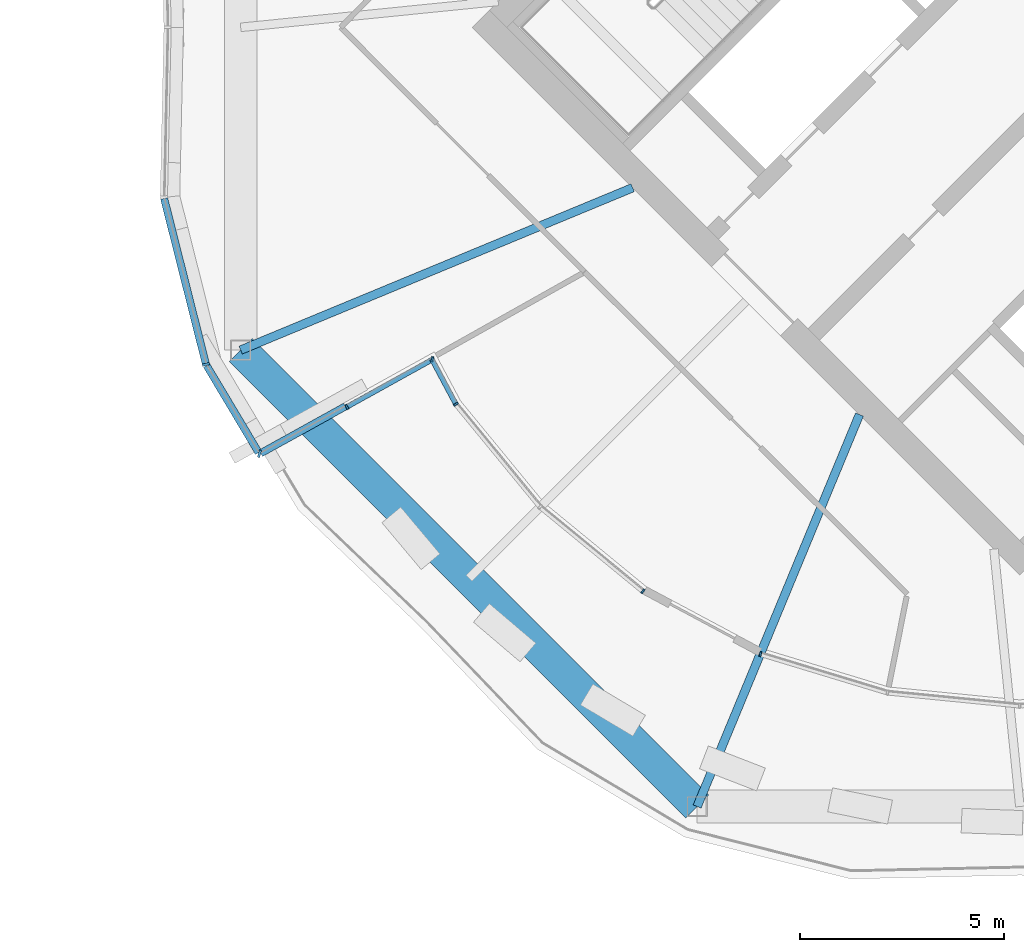
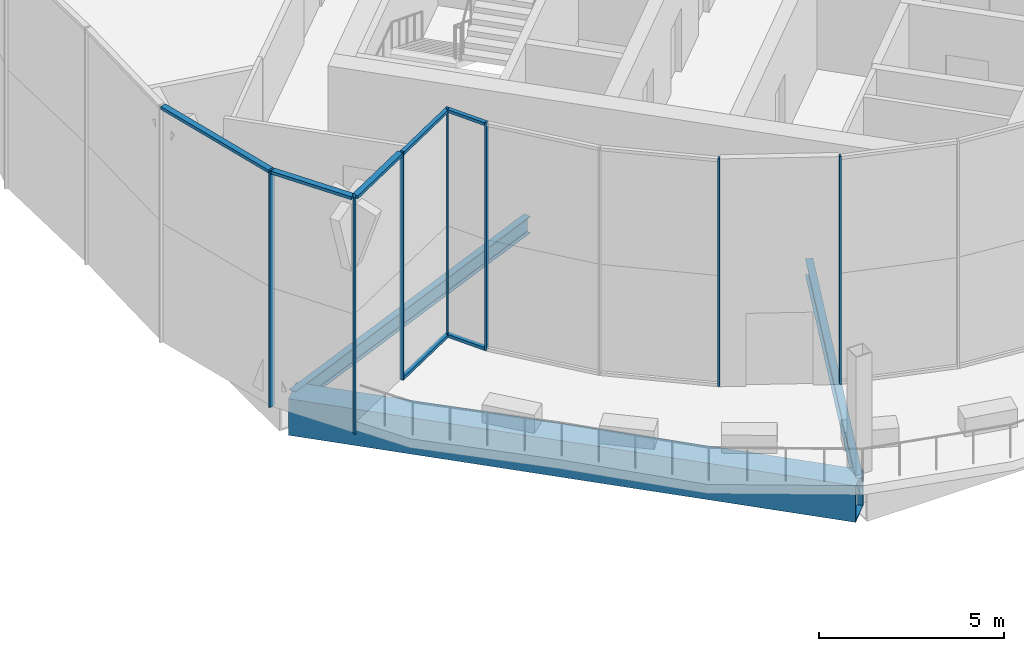
# One storey, part 9 of 26: 14 members, 3 beams, 5 elements without a shape of their own.
"""IFC4 building model written with IfcOpenShell, lengths in metres."""

from ifc_helpers import new_model, si_unit, direction, frame, origin, origin_2d, place, context, subcontext, project, spatial, rectangle, hollow_rectangle, i_section, extrude, material, material_profile, profile_set, type_object, element, aggregate, save


model = new_model("IFC4")

# Units and contexts
model_context = context("Model", 3, precision=1e-05, world=origin(), true_north=direction((0.0, 1.0)))
body_context = subcontext(model_context, "Body", "Model", "MODEL_VIEW")
ifc_project = project(units=[si_unit("LENGTHUNIT", "METRE"), si_unit("AREAUNIT", "SQUARE_METRE"), si_unit("VOLUMEUNIT", "CUBIC_METRE"), si_unit("PLANEANGLEUNIT", "RADIAN"), si_unit("MASSUNIT", "GRAM", prefix="KILO")], contexts=[model_context])

# Site, building, storey
site_placement = place(None, origin())
site = spatial("IfcSite", under=ifc_project, at=site_placement, CompositionType="ELEMENT")
building_placement = place(site_placement, origin())
building = spatial("IfcBuilding", under=site, at=building_placement, Name="Ogive Gate Towers", CompositionType="ELEMENT")
storey_placement = place(building_placement, frame((0.0, 0.0, 208.5)))
storey = spatial("IfcBuildingStorey", under=building, at=storey_placement, Name="L50", CompositionType="ELEMENT", Elevation=208.5)

# Beams
ifc_material_1 = material(Name="Steel SM460", Category="steel")
ifc_material_profile_1 = material_profile(ifc_material_1, hollow_rectangle(XDim=0.800048828125, YDim=1.199951171875, WallThickness=0.050048828125, at=origin_2d()), Name="BX 1200x800x50")
ifc_profile_set_1 = profile_set([ifc_material_profile_1], Name="Steel SM460")
beam_type_1 = type_object("IfcBeamType", Name="Edge girder BX 1200x800x50", PredefinedType="BEAM", material=ifc_profile_set_1)
beam_placement = place(storey_placement, frame((16.885009765625, -7.917724609375, -0.89990234375), z_axis=(0.707106781187, -0.707106781187, 0.0), x_axis=(0.707106781187, 0.707106781187, 0.0)))
element("IfcBeam", 1, at=beam_placement, inside=storey, type_object=beam_type_1, Name="T2/L50/SBM017", PredefinedType="BEAM", context=body_context, shape_type="SweptSolid", body=[
    extrude(hollow_rectangle(XDim=0.800048828125, YDim=1.199951171875, WallThickness=0.050048828125, at=origin_2d()), origin(), (0.0, 0.0, 1.0), 15.835205078125),
])
ifc_material_2 = material(Name="Steel SM355", Category="steel")
ifc_material_profile_2 = material_profile(ifc_material_2, i_section(OverallWidth=0.2099609375, OverallDepth=0.550048828125, WebThickness=0.010986328125, FlangeThickness=0.01708984375, FilletRadius=0.02392578125, at=origin_2d()), Name="IPE 550")
ifc_profile_set_2 = profile_set([ifc_material_profile_2], Name="Steel SM355")
beam_type_2 = type_object("IfcBeamType", Name="Radial floor beam IPE 550", PredefinedType="BEAM", material=ifc_profile_set_2)
for number, where, z_axis, x_axis, name in (
    (2, (26.5, -3.93505859375, -0.574951171875), (-0.92387930631, -0.382683978464, 0.0), (0.382683978464, -0.92387930631, 0.0), "T2/L50/SBM001"),
    (3, (32.06494140625, -9.5, -0.574951171875), (-0.382683978464, -0.92387930631, 0.0), (0.92387930631, -0.382683978464, 0.0), "T2/L50/SBM003"),
):
    element("IfcBeam", number, at=place(storey_placement, frame(where, z_axis=z_axis, x_axis=x_axis)), inside=storey, type_object=beam_type_2, Name=name, PredefinedType="BEAM", context=body_context, shape_type="SweptSolid", body=[
        extrude(i_section(OverallWidth=0.2099609375, OverallDepth=0.550048828125, WebThickness=0.010986328125, FlangeThickness=0.01708984375, FilletRadius=0.02392578125, at=origin_2d()), origin(), (0.0, 0.0, 1.0), 10.4072265625),
    ])

# Curtain wall, members
ifc_material_3 = material(Name="Pale metal aluminium", Category="aluminium")
curtain_wall_type_1 = type_object("IfcCurtainWallType", Name="Sky garden glazing", PredefinedType="NOTDEFINED", material=ifc_material_3)
curtain_wall_1_placement = place(storey_placement, origin())
curtain_wall_1 = element("IfcCurtainWall", 4, at=curtain_wall_1_placement, inside=storey, type_object=curtain_wall_type_1, Name="CW4 T2 ECW01", PredefinedType="NOTDEFINED")
ifc_material_profile_3 = material_profile(ifc_material_3, rectangle(XDim=0.1201171875, YDim=0.050048828125, at=origin_2d()), Name="50 x 120 aluminium box")
ifc_profile_set_3 = profile_set([ifc_material_profile_3], Name="Pale metal aluminium")
member_type_1 = type_object("IfcMemberType", Name="Sky garden glazing mullion 50 x 120", PredefinedType="MULLION", material=ifc_profile_set_3)
member_1_placement = place(storey_placement, frame((22.163818359375, -9.244873046875, 0.0), z_axis=(0.0, 0.0, 1.0), x_axis=(0.831469612303, 0.55557023302, 0.0)))
member_1 = element("IfcMember", 5, at=member_1_placement, type_object=member_type_1, Name="CW4 mullion", PredefinedType="MULLION", context=body_context, shape_type="SweptSolid", body=[
    extrude(rectangle(XDim=0.1201171875, YDim=0.050048828125, at=origin_2d()), origin(), (0.0, 0.0, 1.0), 7.5),
])
member_2_placement = place(storey_placement, frame((21.5849609375, -8.136962890625, 0.0), z_axis=(0.0, 0.0, 1.0), x_axis=(0.282977635822, 0.959126507623, 0.0)))
member_2 = element("IfcMember", 6, at=member_2_placement, type_object=member_type_1, Name="CW4 mullion", PredefinedType="MULLION", context=body_context, shape_type="SweptSolid", body=[
    extrude(rectangle(XDim=0.1201171875, YDim=0.050048828125, at=origin_2d()), origin(), (0.0, 0.0, 1.0), 7.5),
])
member_3_placement = place(storey_placement, frame((19.491943359375, -9.310791015625, 0.0), z_axis=(0.0, 0.0, 1.0), x_axis=(-0.484794355179, 0.87462816853, 0.0)))
member_3 = element("IfcMember", 7, at=member_3_placement, type_object=member_type_1, Name="CW4 mullion", PredefinedType="MULLION", context=body_context, shape_type="SweptSolid", body=[
    extrude(rectangle(XDim=0.1201171875, YDim=0.050048828125, at=origin_2d()), origin(), (0.0, 0.0, 1.0), 7.5),
])

# Curtain wall, member
curtain_wall_2_placement = place(storey_placement, origin())
curtain_wall_2 = element("IfcCurtainWall", 8, at=curtain_wall_2_placement, inside=storey, type_object=curtain_wall_type_1, Name="CW4 T2 ECW02", PredefinedType="NOTDEFINED")
member_4_placement = place(storey_placement, frame((29.6357421875, -15.375, 0.0), z_axis=(0.0, 0.0, 1.0), x_axis=(0.29030137897, 0.956935269163, 0.0)))
member_4 = element("IfcMember", 9, at=member_4_placement, type_object=member_type_1, Name="CW4 mullion", PredefinedType="MULLION", context=body_context, shape_type="SweptSolid", body=[
    extrude(rectangle(XDim=0.1201171875, YDim=0.050048828125, at=origin_2d()), origin(), (0.0, 0.0, 1.0), 7.5),
])
aggregate(curtain_wall_2, [member_4])

curtain_wall_3_placement = place(storey_placement, origin())
curtain_wall_3 = element("IfcCurtainWall", 10, at=curtain_wall_3_placement, inside=storey, type_object=curtain_wall_type_1, Name="CW4 T2 ECW02b", PredefinedType="NOTDEFINED")
member_5_placement = place(storey_placement, frame((26.751953125, -13.833740234375, 0.0), z_axis=(0.0, 0.0, 1.0), x_axis=(0.634393284164, 0.773010453363, 0.0)))
member_5 = element("IfcMember", 11, at=member_5_placement, type_object=member_type_1, Name="CW4 mullion", PredefinedType="MULLION", context=body_context, shape_type="SweptSolid", body=[
    extrude(rectangle(XDim=0.1201171875, YDim=0.050048828125, at=origin_2d()), origin(), (0.0, 0.0, 1.0), 7.5),
])
aggregate(curtain_wall_3, [member_5])

# Member
ifc_material_profile_4 = material_profile(ifc_material_3, rectangle(XDim=0.1201171875, YDim=0.10009765625, at=origin_2d()), Name="100 x 120 aluminium box")
ifc_profile_set_4 = profile_set([ifc_material_profile_4], Name="Pale metal aluminium")
member_type_2 = type_object("IfcMemberType", Name="Sky garden glazing transom 100 x 120", PredefinedType="USERDEFINED", material=ifc_profile_set_4)
member_6_placement = place(storey_placement, frame((22.150146484375, -9.219482421875, 7.449951171875), z_axis=(-0.471446774836, 0.881894516649, 0.0), x_axis=(-0.881894516649, -0.471446774836, 0.0)))
member_6 = element("IfcMember", 12, at=member_6_placement, type_object=member_type_2, Name="CW4 transom", ObjectType="TRANSOM", PredefinedType="USERDEFINED", context=body_context, shape_type="SweptSolid", body=[
    extrude(rectangle(XDim=0.1201171875, YDim=0.10009765625, at=origin_2d()), origin(), (0.0, 0.0, 1.0), 1.224609375),
])

member_7_placement = place(storey_placement, frame((22.150146484375, -9.219482421875, 0.050048828125), z_axis=(-0.471446774836, 0.881894516649, 0.0), x_axis=(-0.881894516649, -0.471446774836, 0.0)))
member_7 = element("IfcMember", 13, at=member_7_placement, type_object=member_type_2, Name="CW4 transom", ObjectType="TRANSOM", PredefinedType="USERDEFINED", context=body_context, shape_type="SweptSolid", body=[
    extrude(rectangle(XDim=0.1201171875, YDim=0.10009765625, at=origin_2d()), origin(), (0.0, 0.0, 1.0), 1.224609375),
])

member_8_placement = place(storey_placement, frame((21.59375, -8.1455078125, 7.449951171875), z_axis=(-0.874583086411, -0.484875679906, 0.0), x_axis=(0.484875679906, -0.874583086411, 0.0)))
member_8 = element("IfcMember", 14, at=member_8_placement, type_object=member_type_2, Name="CW4 transom", ObjectType="TRANSOM", PredefinedType="USERDEFINED", context=body_context, shape_type="SweptSolid", body=[
    extrude(rectangle(XDim=0.1201171875, YDim=0.10009765625, at=origin_2d()), origin(), (0.0, 0.0, 1.0), 2.378173828125),
])

member_9_placement = place(storey_placement, frame((21.59375, -8.1455078125, 0.050048828125), z_axis=(-0.874583086411, -0.484875679906, 0.0), x_axis=(0.484875679906, -0.874583086411, 0.0)))
member_9 = element("IfcMember", 15, at=member_9_placement, type_object=member_type_2, Name="CW4 transom", ObjectType="TRANSOM", PredefinedType="USERDEFINED", context=body_context, shape_type="SweptSolid", body=[
    extrude(rectangle(XDim=0.1201171875, YDim=0.10009765625, at=origin_2d()), origin(), (0.0, 0.0, 1.0), 2.378173828125),
])

aggregate(curtain_wall_1, [member_1, member_2, member_6, member_7, member_3, member_8, member_9])

# Curtain wall, member
curtain_wall_type_2 = type_object("IfcCurtainWallType", Name="Tower unitised wall, high zone", PredefinedType="NOTDEFINED", material=ifc_material_3)
curtain_wall_4_placement = place(storey_placement, origin())
curtain_wall_4 = element("IfcCurtainWall", 16, at=curtain_wall_4_placement, inside=storey, type_object=curtain_wall_type_2, Name="CW2 T2 ECW08", PredefinedType="NOTDEFINED")
ifc_material_profile_5 = material_profile(ifc_material_3, rectangle(XDim=0.179931640625, YDim=0.06005859375, at=origin_2d()), Name="60 x 180 aluminium box")
ifc_profile_set_5 = profile_set([ifc_material_profile_5], Name="Pale metal aluminium")
member_type_3 = type_object("IfcMemberType", Name="Tower unitised wall, high zone mullion 60 x 180", PredefinedType="MULLION", material=ifc_profile_set_5)
member_10_placement = place(storey_placement, frame((16.033447265625, -8.268798828125, -0.300048828125), z_axis=(0.0, 0.0, 1.0), x_axis=(0.969620639956, 0.244613602588, 0.0)))
member_10 = element("IfcMember", 17, at=member_10_placement, type_object=member_type_3, Name="CW2 mullion", PredefinedType="MULLION", context=body_context, shape_type="SweptSolid", body=[
    extrude(rectangle(XDim=0.179931640625, YDim=0.06005859375, at=origin_2d()), origin(), (0.0, 0.0, 1.0), 7.800048828125),
])

curtain_wall_5_placement = place(storey_placement, origin())
curtain_wall_5 = element("IfcCurtainWall", 18, at=curtain_wall_5_placement, inside=storey, type_object=curtain_wall_type_2, Name="CW2 T2 ECW08b", PredefinedType="NOTDEFINED")
member_11_placement = place(storey_placement, frame((17.34619140625, -10.462646484375, -0.300048828125), z_axis=(0.0, 0.0, 1.0), x_axis=(0.260150626952, 0.965568045917, 0.0)))
member_11 = element("IfcMember", 19, at=member_11_placement, type_object=member_type_3, Name="CW2 mullion", PredefinedType="MULLION", context=body_context, shape_type="SweptSolid", body=[
    extrude(rectangle(XDim=0.179931640625, YDim=0.06005859375, at=origin_2d()), origin(), (0.0, 0.0, 1.0), 7.800048828125),
])

# Member
ifc_material_profile_6 = material_profile(ifc_material_3, rectangle(XDim=0.179931640625, YDim=0.10009765625, at=origin_2d()), Name="100 x 180 aluminium box")
ifc_profile_set_6 = profile_set([ifc_material_profile_6], Name="Pale metal aluminium")
member_type_4 = type_object("IfcMemberType", Name="Tower unitised wall, high zone transom 100 x 180", PredefinedType="USERDEFINED", material=ifc_profile_set_6)
member_12_placement = place(storey_placement, frame((16.026123046875, -8.23974609375, 7.449951171875), z_axis=(-0.244602369594, 0.96962347372, 0.0), x_axis=(-0.96962347372, -0.244602369594, 0.0)))
member_12 = element("IfcMember", 20, at=member_12_placement, type_object=member_type_4, Name="CW2 transom", ObjectType="TRANSOM", PredefinedType="USERDEFINED", context=body_context, shape_type="SweptSolid", body=[
    extrude(rectangle(XDim=0.179931640625, YDim=0.10009765625, at=origin_2d()), origin(), (0.0, 0.0, 1.0), 4.168212890625),
])

aggregate(curtain_wall_4, [member_10, member_12])

member_13_placement = place(storey_placement, frame((19.451171875, -9.299072265625, 7.449951171875), z_axis=(-0.874652840363, -0.484749841512, 0.0), x_axis=(0.484749841512, -0.874652840363, 0.0)))
member_13 = element("IfcMember", 21, at=member_13_placement, type_object=member_type_4, Name="CW2 transom", ObjectType="TRANSOM", PredefinedType="USERDEFINED", context=body_context, shape_type="SweptSolid", body=[
    extrude(rectangle(XDim=0.179931640625, YDim=0.10009765625, at=origin_2d()), origin(), (0.0, 0.0, 1.0), 2.3681640625),
])

member_14_placement = place(storey_placement, frame((17.32470703125, -10.432373046875, 7.449951171875), z_axis=(-0.512617480055, 0.858617096931, 0.0), x_axis=(-0.858617096931, -0.512617480055, 0.0)))
member_14 = element("IfcMember", 22, at=member_14_placement, type_object=member_type_4, Name="CW2 transom", ObjectType="TRANSOM", PredefinedType="USERDEFINED", context=body_context, shape_type="SweptSolid", body=[
    extrude(rectangle(XDim=0.179931640625, YDim=0.10009765625, at=origin_2d()), origin(), (0.0, 0.0, 1.0), 2.486572265625),
])

aggregate(curtain_wall_5, [member_11, member_13, member_14])

save(model, "model.ifc")
